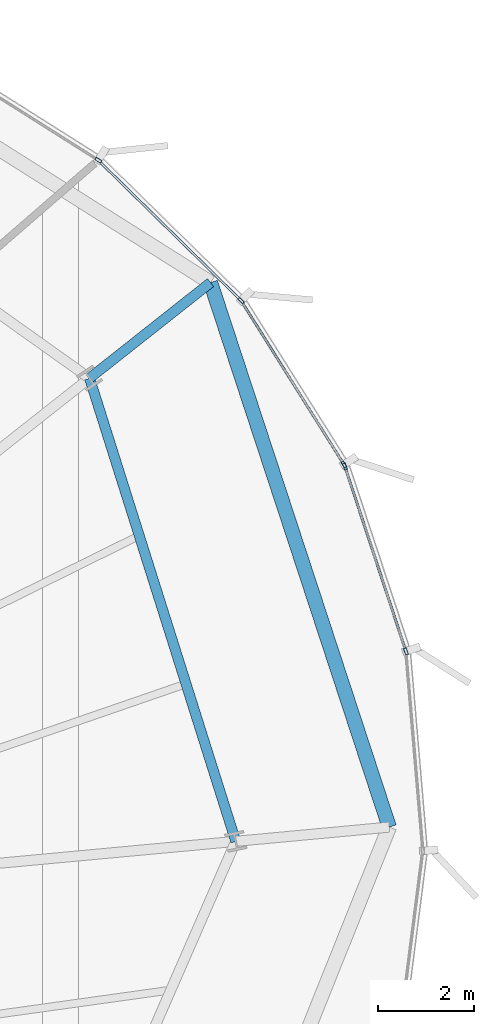
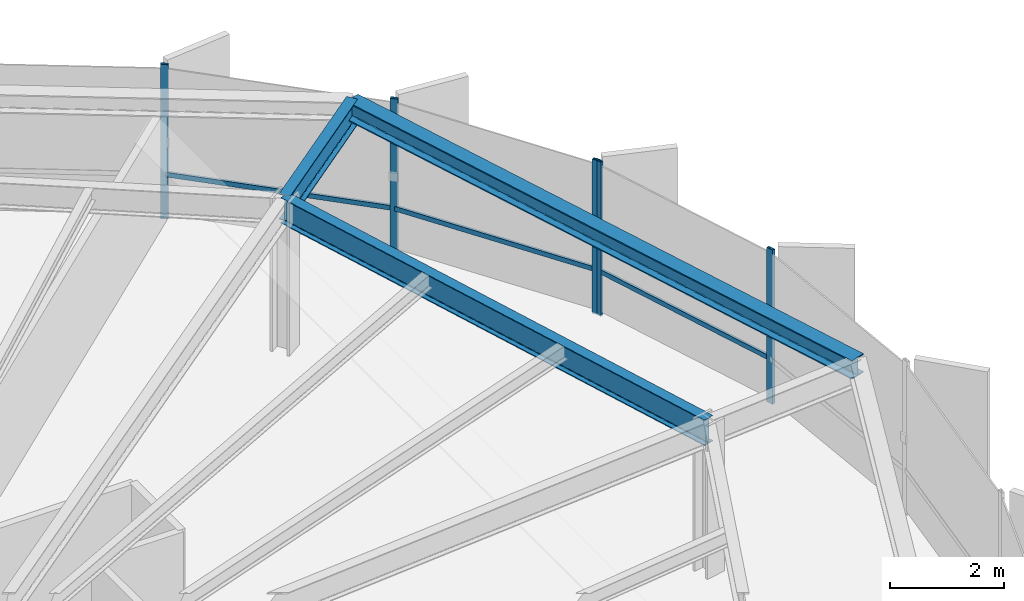
# One storey, part 26 of 35: 8 members, 3 beams, 2 elements without a shape of their own.
"""IFC4 building model written with IfcOpenShell, lengths in metres."""

from ifc_helpers import new_model, si_unit, direction, frame, origin, origin_2d, place, context, subcontext, project, spatial, hollow_rectangle, i_section, extrude, source, transform, mapped, material, layer, layer_set, material_profile, profile_set, type_object, element, aggregate, save


model = new_model("IFC4")

# Units and contexts
model_context = context("Model", 3, precision=1e-05, world=origin(), true_north=direction((0.0, 1.0)))
body_context = subcontext(model_context, "Body", "Model", "MODEL_VIEW")
ifc_project = project(units=[si_unit("LENGTHUNIT", "METRE"), si_unit("AREAUNIT", "SQUARE_METRE"), si_unit("VOLUMEUNIT", "CUBIC_METRE"), si_unit("PLANEANGLEUNIT", "RADIAN"), si_unit("MASSUNIT", "GRAM", prefix="KILO"), si_unit("THERMODYNAMICTEMPERATUREUNIT", "KELVIN")], contexts=[model_context])

# Site, building, storey
site_placement = place(None, origin())
site = spatial("IfcSite", under=ifc_project, at=site_placement, CompositionType="ELEMENT")
building_placement = place(site_placement, origin())
building = spatial("IfcBuilding", under=site, at=building_placement, Name="Kethvar Cultural Tower", CompositionType="ELEMENT")
storey_placement = place(building_placement, frame((0.0, 0.0, 135.89990234375)))
storey = spatial("IfcBuildingStorey", under=building, at=storey_placement, Name="L34", CompositionType="ELEMENT", Elevation=135.89990234375)

# Beams
ifc_material_1 = material(Name="Steel S355J2", Category="steel")
ifc_material_profile_1 = material_profile(ifc_material_1, i_section(OverallWidth=0.2099609375, OverallDepth=0.550048828125, WebThickness=0.010986328125, FlangeThickness=0.01708984375, FilletRadius=0.02392578125, at=origin_2d()), Name="Steel S355J2 — IPE550")
ifc_profile_set_1 = profile_set([ifc_material_profile_1], Name="Steel S355J2 — IPE550")
beam_type_1 = type_object("IfcBeamType", Name="BM-IPE550", PredefinedType="BEAM", material=ifc_profile_set_1)
shared_shape_1 = source(origin(), body_context, "Body", "SweptSolid", [
    extrude(i_section(OverallWidth=0.2099609375, OverallDepth=0.550048828125, WebThickness=0.010986328125, FlangeThickness=0.01708984375, FilletRadius=0.02392578125, at=origin_2d()), origin(), (0.0, 0.0, 1.0), 3.2001953125),
])
beam_1_placement = place(storey_placement, frame((68.568603515625, 42.34521484375, 3.023193359375), z_axis=(0.784650322996, 0.619938602301, 0.0), x_axis=(-0.619938602301, 0.784650322996, 0.0)))
element("IfcBeam", 1, at=beam_1_placement, inside=storey, type_object=beam_type_1, Name="L34 Perimeter Cantilever Beam RC-02", PredefinedType="BEAM", context=body_context, shape_type="MappedRepresentation", body=[
    mapped(shared_shape_1, transform((0.0, 0.0, 0.0), scale=1.0)),
])
shared_shape_2 = source(origin(), body_context, "Body", "SweptSolid", [
    extrude(i_section(OverallWidth=0.2099609375, OverallDepth=0.550048828125, WebThickness=0.010986328125, FlangeThickness=0.01708984375, FilletRadius=0.02392578125, at=origin_2d()), origin(), (0.0, 0.0, 1.0), 10.079345703125),
])
beam_2_placement = place(storey_placement, frame((71.6025390625, 32.7333984375, 3.023193359375), z_axis=(-0.301007326566, 0.953621827222, 0.0), x_axis=(-0.953621827222, -0.301007326566, 0.0)))
element("IfcBeam", 2, at=beam_2_placement, inside=storey, type_object=beam_type_1, Name="L34 Column Ring Tie Beam CR-01", PredefinedType="BEAM", context=body_context, shape_type="MappedRepresentation", body=[
    mapped(shared_shape_2, transform((0.0, 0.0, 0.0), scale=1.0)),
])
ifc_material_profile_2 = material_profile(ifc_material_1, i_section(OverallWidth=0.300048828125, OverallDepth=0.39990234375, WebThickness=0.013427734375, FlangeThickness=0.02392578125, FilletRadius=0.027099609375, at=origin_2d()), Name="Steel S355J2 — HEB400")
ifc_profile_set_2 = profile_set([ifc_material_profile_2], Name="Steel S355J2 — HEB400")
beam_type_2 = type_object("IfcBeamType", Name="BM-SP400", PredefinedType="SPANDREL", material=ifc_profile_set_2)
shared_shape_3 = source(origin(), body_context, "Body", "SweptSolid", [
    extrude(i_section(OverallWidth=0.300048828125, OverallDepth=0.39990234375, WebThickness=0.013427734375, FlangeThickness=0.02392578125, FilletRadius=0.027099609375, at=origin_2d()), origin(), (0.0, 0.0, 1.0), 11.8935546875),
])
beam_3_placement = place(storey_placement, frame((74.788818359375, 33.02880859375, 3.09814453125), z_axis=(-0.311870604739, 0.95012458441, 0.0), x_axis=(-0.95012458441, -0.311870604739, 0.0)))
element("IfcBeam", 3, at=beam_3_placement, inside=storey, type_object=beam_type_2, Name="L34 Perimeter Spandrel Beam SP-01", PredefinedType="SPANDREL", context=body_context, shape_type="MappedRepresentation", body=[
    mapped(shared_shape_3, transform((0.0, 0.0, 0.0), scale=1.0)),
])

# Curtain wall, members
ifc_material_2 = material(Name="Aluminium 6063-T6", Category="aluminium")
ifc_layer = layer(ifc_material_2, 0.179931640625, Name="Aluminium 6063-T6", Category="aluminium")
ifc_layer_set = layer_set([ifc_layer], Name="Aluminium 6063-T6 (180 mm)")
curtain_wall_type = type_object("IfcCurtainWallType", Name="CW-SYS-04-Z34", PredefinedType="NOTDEFINED", material=ifc_layer_set)
curtain_wall_1_placement = place(storey_placement, origin())
curtain_wall_1 = element("IfcCurtainWall", 4, at=curtain_wall_1_placement, inside=storey, type_object=curtain_wall_type, Name="L34 Curtain Wall Run 01", PredefinedType="NOTDEFINED")
ifc_material_profile_3 = material_profile(ifc_material_2, hollow_rectangle(XDim=0.06005859375, YDim=0.139892578125, WallThickness=0.0048828125, at=origin_2d()), Name="Aluminium 6063-T6 — RHS140x60x5")
ifc_profile_set_3 = profile_set([ifc_material_profile_3], Name="Aluminium 6063-T6 — RHS140x60x5")
member_type_1 = type_object("IfcMemberType", Name="CW-SYS-04-Z34-MUL", PredefinedType="MULLION", material=ifc_profile_set_3)
shared_shape_4 = source(origin(), body_context, "Body", "SweptSolid", [
    extrude(hollow_rectangle(XDim=0.06005859375, YDim=0.139892578125, WallThickness=0.0048828125, at=origin_2d()), origin(), (0.0, 0.0, 1.0), 3.300048828125),
])
member_1_placement = place(storey_placement, frame((73.84765625, 40.5556640625, 0.0), z_axis=(0.0, 0.0, 1.0), x_axis=(-0.846843565628, -0.531842058656, 0.0)))
member_1 = element("IfcMember", 5, at=member_1_placement, type_object=member_type_1, Name="CW-L34-R01 Mullion 1", PredefinedType="MULLION", context=body_context, shape_type="MappedRepresentation", body=[
    mapped(shared_shape_4, transform((0.0, 0.0, 0.0), scale=1.0)),
])
member_2_placement = place(storey_placement, frame((71.717041015625, 43.953857421875, 0.0), z_axis=(0.0, 0.0, 1.0), x_axis=(-0.700660250228, -0.713495069184, 0.0)))
member_2 = element("IfcMember", 6, at=member_2_placement, type_object=member_type_1, Name="CW-L34-R01 Mullion 2", PredefinedType="MULLION", context=body_context, shape_type="MappedRepresentation", body=[
    mapped(shared_shape_4, transform((0.0, 0.0, 0.0), scale=1.0)),
])
member_3_placement = place(storey_placement, frame((68.7509765625, 46.8701171875, 0.0), z_axis=(0.0, 0.0, 1.0), x_axis=(-0.534086776188, -0.845429663249, 0.0)))
member_3 = element("IfcMember", 7, at=member_3_placement, type_object=member_type_1, Name="CW-L34-R01 Mullion 3", PredefinedType="MULLION", context=body_context, shape_type="MappedRepresentation", body=[
    mapped(shared_shape_4, transform((0.0, 0.0, 0.0), scale=1.0)),
])

curtain_wall_2_placement = place(storey_placement, origin())
curtain_wall_2 = element("IfcCurtainWall", 8, at=curtain_wall_2_placement, inside=storey, type_object=curtain_wall_type, Name="L34 Curtain Wall Run 06", PredefinedType="NOTDEFINED")
member_4_placement = place(storey_placement, frame((75.134521484375, 36.677001953125, 0.0), z_axis=(0.0, 0.0, 1.0), x_axis=(-0.949595224935, -0.313478721416, 0.0)))
member_4 = element("IfcMember", 9, at=member_4_placement, type_object=member_type_1, Name="CW-L34-R06 Mullion 6", PredefinedType="MULLION", context=body_context, shape_type="MappedRepresentation", body=[
    mapped(shared_shape_4, transform((0.0, 0.0, 0.0), scale=1.0)),
])
member_5_placement = place(storey_placement, frame((73.869384765625, 40.509765625, 0.0), z_axis=(0.0, 0.0, 1.0), x_axis=(-0.949595224935, -0.313478721416, 0.0)))
member_5 = element("IfcMember", 10, at=member_5_placement, type_object=member_type_1, Name="CW-L34-R06 Mullion 7", PredefinedType="MULLION", context=body_context, shape_type="MappedRepresentation", body=[
    mapped(shared_shape_4, transform((0.0, 0.0, 0.0), scale=1.0)),
])

# Member
ifc_material_profile_4 = material_profile(ifc_material_2, hollow_rectangle(XDim=0.050048828125, YDim=0.10009765625, WallThickness=0.00390625, at=origin_2d()), Name="Aluminium 6063-T6 — RHS100x50x4")
ifc_profile_set_4 = profile_set([ifc_material_profile_4], Name="Aluminium 6063-T6 — RHS100x50x4")
member_type_2 = type_object("IfcMemberType", Name="CW-SYS-04-Z34-TRN", PredefinedType="USERDEFINED", material=ifc_profile_set_4)
shared_shape_5 = source(origin(), body_context, "Body", "SweptSolid", [
    extrude(hollow_rectangle(XDim=0.050048828125, YDim=0.10009765625, WallThickness=0.00390625, at=origin_2d()), origin(), (0.0, 0.0, 1.0), 3.989013671875),
])
member_6_placement = place(storey_placement, frame((73.845458984375, 40.559326171875, 0.9501953125), z_axis=(-0.53186817393, 0.846827163924, 0.0), x_axis=(-0.846827163924, -0.53186817393, 0.0)))
member_6 = element("IfcMember", 11, at=member_6_placement, type_object=member_type_2, Name="CW-L34-R01 Transom 1", ObjectType="TRANSOM", PredefinedType="USERDEFINED", context=body_context, shape_type="MappedRepresentation", body=[
    mapped(shared_shape_5, transform((0.0, 0.0, 0.0), scale=1.0)),
])

shared_shape_6 = source(origin(), body_context, "Body", "SweptSolid", [
    extrude(hollow_rectangle(XDim=0.050048828125, YDim=0.10009765625, WallThickness=0.00390625, at=origin_2d()), origin(), (0.0, 0.0, 1.0), 4.096435546875),
])
member_7_placement = place(storey_placement, frame((71.686279296875, 43.984130859375, 0.9501953125), z_axis=(-0.713514130873, 0.700640838836, 0.0), x_axis=(-0.700640838836, -0.713514130873, 0.0)))
member_7 = element("IfcMember", 12, at=member_7_placement, type_object=member_type_2, Name="CW-L34-R01 Transom 2", ObjectType="TRANSOM", PredefinedType="USERDEFINED", context=body_context, shape_type="MappedRepresentation", body=[
    mapped(shared_shape_6, transform((0.0, 0.0, 0.0), scale=1.0)),
])

aggregate(curtain_wall_1, [member_1, member_2, member_3, member_6, member_7])

shared_shape_7 = source(origin(), body_context, "Body", "SweptSolid", [
    extrude(hollow_rectangle(XDim=0.050048828125, YDim=0.10009765625, WallThickness=0.00390625, at=origin_2d()), origin(), (0.0, 0.0, 1.0), 3.98876953125),
])
member_8_placement = place(storey_placement, frame((75.12109375, 36.718017578125, 0.9501953125), z_axis=(-0.313508820771, 0.949585288059, 0.0), x_axis=(-0.949585288059, -0.313508820771, 0.0)))
member_8 = element("IfcMember", 13, at=member_8_placement, type_object=member_type_2, Name="CW-L34-R06 Transom 6", ObjectType="TRANSOM", PredefinedType="USERDEFINED", context=body_context, shape_type="MappedRepresentation", body=[
    mapped(shared_shape_7, transform((0.0, 0.0, 0.0), scale=1.0)),
])

aggregate(curtain_wall_2, [member_4, member_5, member_8])

save(model, "model.ifc")
